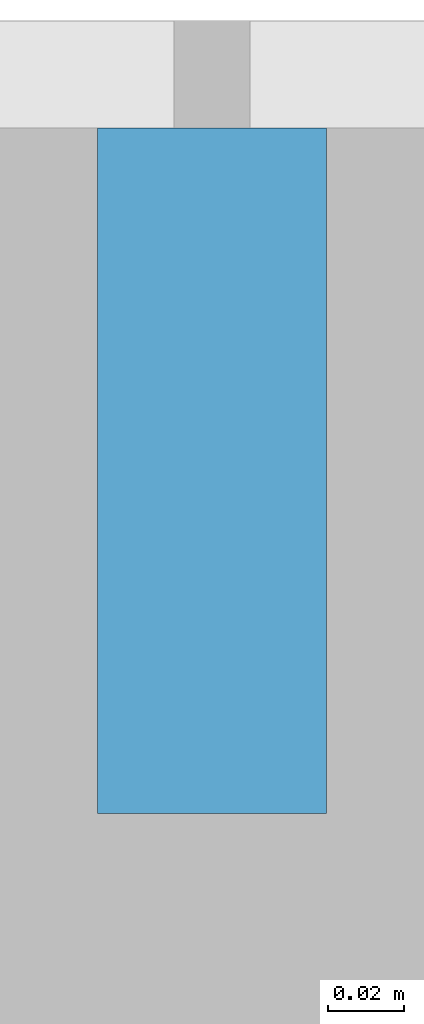
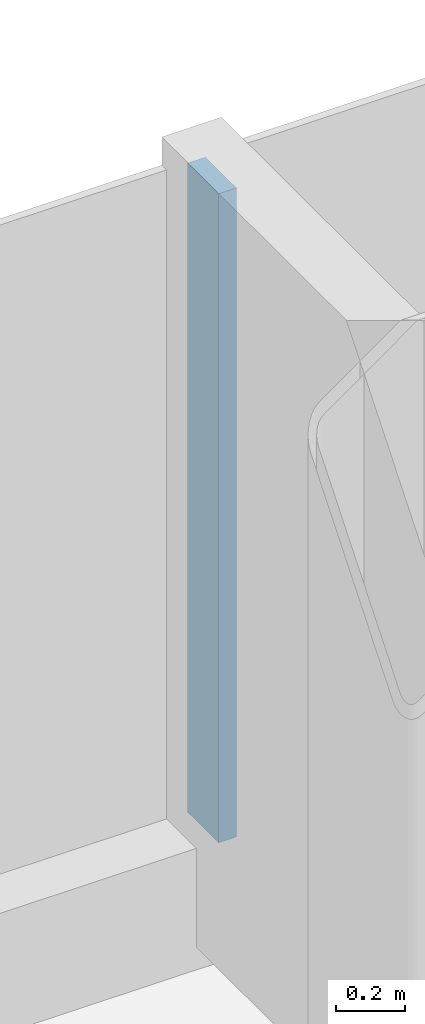
# One storey, part 9 of 25: 1 member, 1 element without a shape of its own.
"""IFC4 building model written with IfcOpenShell, lengths in metres."""

from ifc_helpers import new_model, si_unit, direction, frame, origin, origin_2d, place, context, subcontext, project, spatial, rectangle, extrude, material, layer, layer_set, material_profile, profile_set, type_object, element, aggregate, save


model = new_model("IFC4")

# Units and contexts
model_context = context("Model", 3, precision=1e-05, world=origin(), true_north=direction((0.0, 1.0)))
body_context = subcontext(model_context, "Body", "Model", "MODEL_VIEW")
ifc_project = project(units=[si_unit("LENGTHUNIT", "METRE"), si_unit("AREAUNIT", "SQUARE_METRE"), si_unit("VOLUMEUNIT", "CUBIC_METRE"), si_unit("PLANEANGLEUNIT", "RADIAN"), si_unit("MASSUNIT", "GRAM", prefix="KILO")], contexts=[model_context])

# Site, building, storey
site_placement = place(None, origin())
site = spatial("IfcSite", under=ifc_project, at=site_placement, CompositionType="ELEMENT")
building_placement = place(site_placement, origin())
building = spatial("IfcBuilding", under=site, at=building_placement, Name="Hakoniwa Tower and Hamabe Station Hall", CompositionType="ELEMENT")
storey_placement = place(building_placement, frame((0.0, 0.0, 186.60009765625)))
storey = spatial("IfcBuildingStorey", under=building, at=storey_placement, Name="L52", CompositionType="ELEMENT", Elevation=186.60009765625)

# Curtain wall, member
ifc_material_1 = material(Name="Dark low-e laminated glass", Category="glass")
ifc_layer = layer(ifc_material_1, 0.199951171875)
ifc_layer_set = layer_set([ifc_layer], Name="CW-1 UNITISED GUEST")
curtain_wall_type = type_object("IfcCurtainWallType", Name="CW-1 UNITISED GUEST", PredefinedType="NOTDEFINED", material=ifc_layer_set)
curtain_wall_placement = place(storey_placement, origin())
curtain_wall = element("IfcCurtainWall", 1, at=curtain_wall_placement, inside=storey, type_object=curtain_wall_type, Name="CW-1 curtain wall", PredefinedType="NOTDEFINED")
ifc_material_2 = material(Name="Aluminium 6063-T5 black anodised", Category="aluminium")
ifc_material_profile = material_profile(ifc_material_2, rectangle(XDim=0.06005859375, YDim=0.179931640625, at=origin_2d()), Name="CW-1 MULLION 60X180")
ifc_profile_set = profile_set([ifc_material_profile], Name="Aluminium 6063-T5 black anodised")
member_type = type_object("IfcMemberType", Name="CW-1 MULLION 60X180", PredefinedType="MULLION", material=ifc_profile_set)
member_placement = place(storey_placement, frame((16.800048828125, 20.431884765625, 0.349853515625), z_axis=(0.0, 0.0, 1.0), x_axis=(-1.0, 0.0, 0.0)))
member = element("IfcMember", 2, at=member_placement, type_object=member_type, Name="CW-1 mullion", PredefinedType="MULLION", context=body_context, shape_type="SweptSolid", body=[
    extrude(rectangle(XDim=0.06005859375, YDim=0.179931640625, at=origin_2d()), origin(), (0.0, 0.0, 1.0), 2.300048828125),
])
aggregate(curtain_wall, [member])

save(model, "model.ifc")
